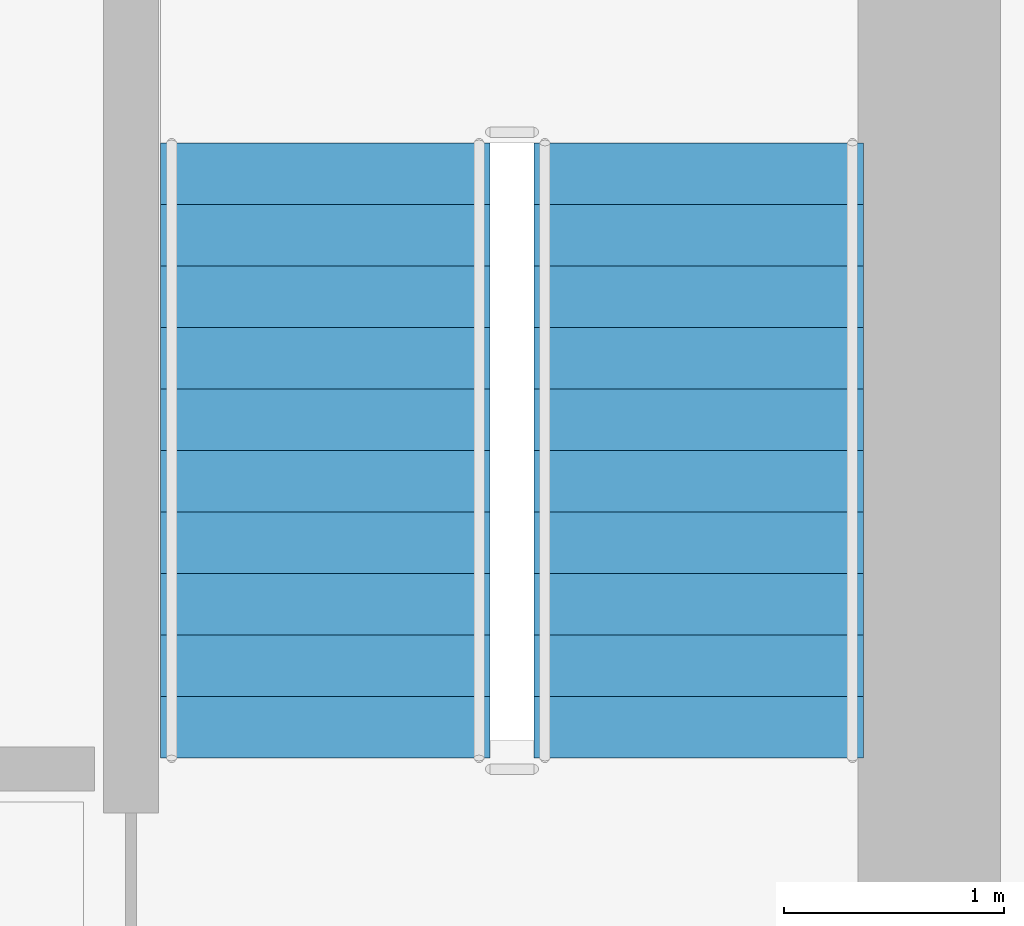
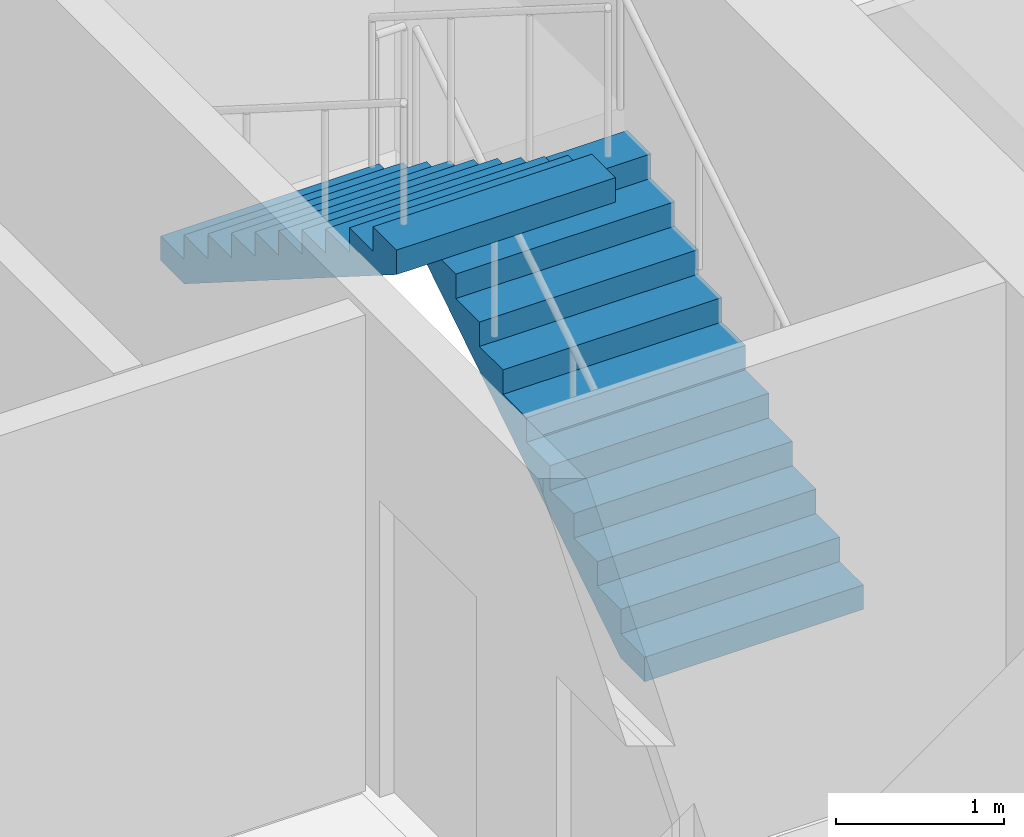
# One storey, part 8 of 12: 2 stair flights, 1 element without a shape of its own.
"""IFC4 building model written with IfcOpenShell, lengths in metres."""

from ifc_helpers import new_model, si_unit, direction, frame, origin, place, context, subcontext, project, spatial, polyline, outline, extrude, material, type_object, element, aggregate, save


model = new_model("IFC4")

# Units and contexts
model_context = context("Model", 3, precision=1e-05, world=origin(), true_north=direction((0.0, 1.0)))
body_context = subcontext(model_context, "Body", "Model", "MODEL_VIEW")
ifc_project = project(units=[si_unit("LENGTHUNIT", "METRE"), si_unit("AREAUNIT", "SQUARE_METRE"), si_unit("VOLUMEUNIT", "CUBIC_METRE"), si_unit("PLANEANGLEUNIT", "RADIAN"), si_unit("MASSUNIT", "GRAM", prefix="KILO")], contexts=[model_context])

# Site, building, storey
site_placement = place(None, origin())
site = spatial("IfcSite", under=ifc_project, at=site_placement, CompositionType="ELEMENT")
building_placement = place(site_placement, origin())
building = spatial("IfcBuilding", under=site, at=building_placement, Name="Kranthara Brick Stack", CompositionType="ELEMENT")
storey_placement = place(building_placement, frame((0.0, 0.0, 90.60009765625)))
storey = spatial("IfcBuildingStorey", under=building, at=storey_placement, Name="L22", CompositionType="ELEMENT", Elevation=90.60009765625)

# Stair, stair flights
ifc_material_1 = material(Name="Concrete C45/55", Category="concrete")
stair_type = type_object("IfcStairType", Name="ST-CORE-22R", PredefinedType="HALF_TURN_STAIR", material=ifc_material_1)
stair_placement = place(storey_placement, origin())
stair = element("IfcStair", 1, at=stair_placement, inside=storey, type_object=stair_type, Name="L22 East Core Protected Exit Stair ST02", PredefinedType="HALF_TURN_STAIR")
ifc_material_2 = material(Name="Concrete C45/55", Category="concrete")
stair_flight_type = type_object("IfcStairFlightType", Name="SFL-RC-22R", PredefinedType="STRAIGHT", material=ifc_material_2)
stair_flight_1_placement = place(storey_placement, frame((42.14990234375, 25.199951171875, 0.0), z_axis=(0.0, 0.0, 1.0), x_axis=(0.0, 1.0, 0.0)))
stair_flight_1 = element("IfcStairFlight", 2, at=stair_flight_1_placement, type_object=stair_flight_type, Name="ST02 flight 1", NumberOfRisers=11, NumberOfTreads=10, PredefinedType="STRAIGHT", RiserHeight=0.177272727, TreadLength=0.28, context=body_context, shape_type="SweptSolid", body=[
    extrude(outline(polyline([(0.0, 0.0), (0.0, 0.17724609375), (0.280029296875, 0.17724609375), (0.280029296875, 0.3544921875), (0.56005859375, 0.3544921875), (0.56005859375, 0.53173828125), (0.840087890625, 0.53173828125), (0.840087890625, 0.708984375), (1.1201171875, 0.708984375), (1.1201171875, 0.886474609375), (1.39990234375, 0.886474609375), (1.39990234375, 1.063720703125), (1.679931640625, 1.063720703125), (1.679931640625, 1.240966796875), (1.9599609375, 1.240966796875), (1.9599609375, 1.418212890625), (2.239990234375, 1.418212890625), (2.239990234375, 1.595458984375), (2.52001953125, 1.595458984375), (2.52001953125, 1.772705078125), (2.800048828125, 1.772705078125), (2.800048828125, 1.949951171875), (2.800048828125, 1.59521484375), (0.2802734375, 0.0), (0.0, 0.0)])), frame((0.0, 0.75, 0.0), z_axis=(0.0, -1.0, 0.0), x_axis=(1.0, 0.0, 0.0)), (0.0, 0.0, 1.0), 1.5),
])
stair_flight_2_placement = place(storey_placement, frame((40.449951171875, 28.0, 1.949951171875), z_axis=(0.0, 0.0, 1.0), x_axis=(0.0, -1.0, 0.0)))
stair_flight_2 = element("IfcStairFlight", 3, at=stair_flight_2_placement, type_object=stair_flight_type, Name="ST02 flight 2", NumberOfRisers=11, NumberOfTreads=10, PredefinedType="STRAIGHT", RiserHeight=0.177272727, TreadLength=0.28, context=body_context, shape_type="SweptSolid", body=[
    extrude(outline(polyline([(0.0, 0.0), (0.0, 0.17724609375), (0.280029296875, 0.17724609375), (0.280029296875, 0.3544921875), (0.56005859375, 0.3544921875), (0.56005859375, 0.53173828125), (0.840087890625, 0.53173828125), (0.840087890625, 0.708984375), (1.1201171875, 0.708984375), (1.1201171875, 0.886474609375), (1.39990234375, 0.886474609375), (1.39990234375, 1.063720703125), (1.679931640625, 1.063720703125), (1.679931640625, 1.240966796875), (1.9599609375, 1.240966796875), (1.9599609375, 1.418212890625), (2.239990234375, 1.418212890625), (2.239990234375, 1.595458984375), (2.52001953125, 1.595458984375), (2.52001953125, 1.772705078125), (2.800048828125, 1.772705078125), (2.800048828125, 1.949951171875), (2.800048828125, 1.59521484375), (0.2802734375, 0.0), (0.0, 0.0)])), frame((0.0, 0.75, 0.0), z_axis=(0.0, -1.0, 0.0), x_axis=(1.0, 0.0, 0.0)), (0.0, 0.0, 1.0), 1.5),
])
aggregate(stair, [stair_flight_1, stair_flight_2])

save(model, "model.ifc")
